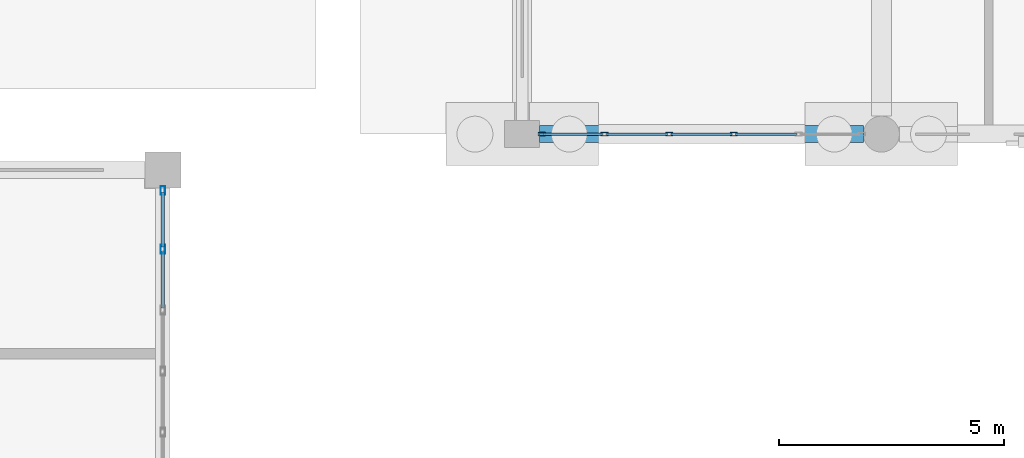
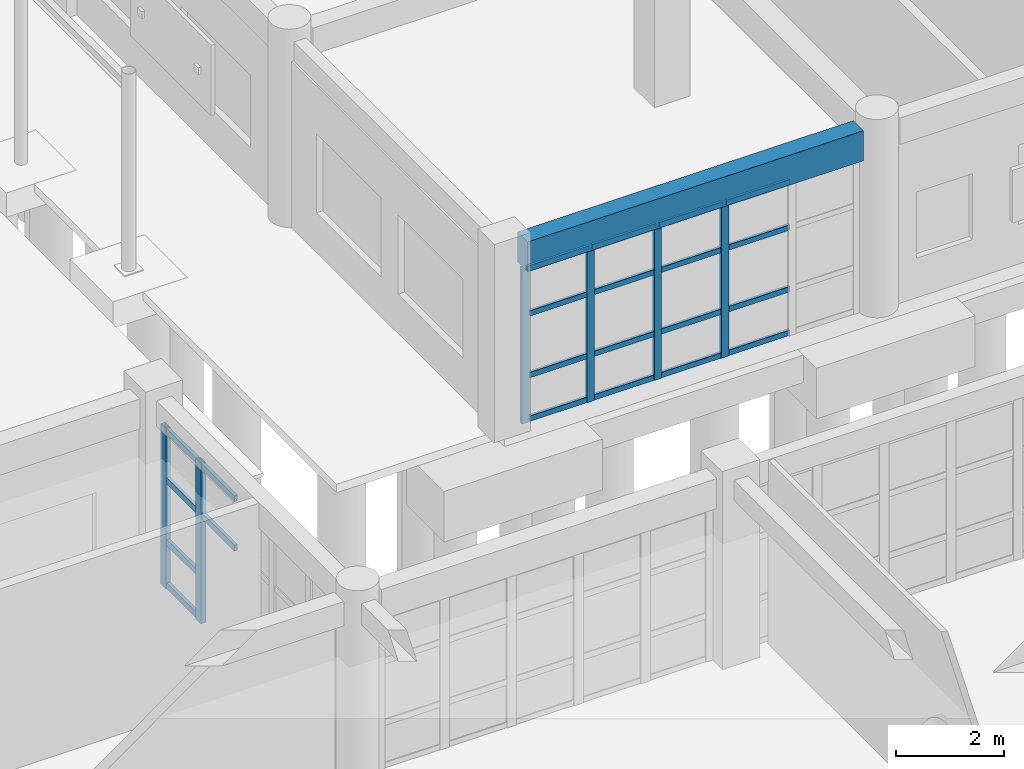
# One storey, part 86 of 166: 28 members, 1 beam, 2 elements without a shape of their own.
"""IFC4 building model written with IfcOpenShell, lengths in metres."""

from ifc_helpers import new_model, si_unit, direction, frame, origin, origin_2d, place, context, subcontext, project, spatial, rectangle, hollow_rectangle, extrude, material, material_profile, profile_set, type_object, element, aggregate, save


model = new_model("IFC4")

# Units and contexts
model_context = context("Model", 3, precision=1e-05, world=origin(), true_north=direction((0.0, 1.0)))
body_context = subcontext(model_context, "Body", "Model", "MODEL_VIEW")
ifc_project = project(units=[si_unit("LENGTHUNIT", "METRE"), si_unit("AREAUNIT", "SQUARE_METRE"), si_unit("VOLUMEUNIT", "CUBIC_METRE"), si_unit("PLANEANGLEUNIT", "RADIAN"), si_unit("MASSUNIT", "GRAM", prefix="KILO")], contexts=[model_context])

# Site, building, storey
site_placement = place(None, origin())
site = spatial("IfcSite", under=ifc_project, at=site_placement, CompositionType="ELEMENT")
building_placement = place(site_placement, origin())
building = spatial("IfcBuilding", under=site, at=building_placement, Name="Kharva Crest Polytechnic", CompositionType="ELEMENT")
storey_placement = place(building_placement, origin())
storey = spatial("IfcBuildingStorey", under=building, at=storey_placement, Name="L00", CompositionType="ELEMENT", Elevation=0.0)

# Curtain wall, members
ifc_material_1 = material(Name="Tempered insulated glass", Category="glass")
curtain_wall_type_1 = type_object("IfcCurtainWallType", Name="CW-SYS-COURT", PredefinedType="USERDEFINED", material=ifc_material_1)
curtain_wall_1_placement = place(storey_placement, origin())
curtain_wall_1 = element("IfcCurtainWall", 1, at=curtain_wall_1_placement, inside=storey, type_object=curtain_wall_type_1, Name="L00 Glazed Curtain Wall CW-014", ObjectType="CURTAIN WALL", PredefinedType="USERDEFINED")
ifc_material_2 = material(Name="Steel S355", Category="steel")
ifc_material_profile_1 = material_profile(ifc_material_2, hollow_rectangle(XDim=0.080078125, YDim=0.159912109375, WallThickness=0.0048828125, at=origin_2d()), Name="RHS 160X80X5.0")
ifc_profile_set_1 = profile_set([ifc_material_profile_1], Name="Steel S355")
member_type_1 = type_object("IfcMemberType", Name="CWM-RHS160X80", PredefinedType="MULLION", material=ifc_profile_set_1)
member_1_placement = place(storey_placement, frame((153.235107421875, 38.800048828125, 0.0), z_axis=(0.0, 0.0, 1.0), x_axis=(0.0, 1.0, 0.0)))
member_1 = element("IfcMember", 2, at=member_1_placement, type_object=member_type_1, Name="CW-014 mullion 1", PredefinedType="MULLION", context=body_context, shape_type="SweptSolid", body=[
    extrude(hollow_rectangle(XDim=0.080078125, YDim=0.159912109375, WallThickness=0.0048828125, at=origin_2d()), origin(), (0.0, 0.0, 1.0), 3.5400390625),
])
member_2_placement = place(storey_placement, frame((154.635009765625, 38.800048828125, 0.0), z_axis=(0.0, 0.0, 1.0), x_axis=(0.0, 1.0, 0.0)))
member_2 = element("IfcMember", 3, at=member_2_placement, type_object=member_type_1, Name="CW-014 mullion 2", PredefinedType="MULLION", context=body_context, shape_type="SweptSolid", body=[
    extrude(hollow_rectangle(XDim=0.080078125, YDim=0.159912109375, WallThickness=0.0048828125, at=origin_2d()), origin(), (0.0, 0.0, 1.0), 3.5400390625),
])
member_3_placement = place(storey_placement, frame((156.074951171875, 38.800048828125, 0.0), z_axis=(0.0, 0.0, 1.0), x_axis=(0.0, 1.0, 0.0)))
member_3 = element("IfcMember", 4, at=member_3_placement, type_object=member_type_1, Name="CW-014 mullion 3", PredefinedType="MULLION", context=body_context, shape_type="SweptSolid", body=[
    extrude(hollow_rectangle(XDim=0.080078125, YDim=0.159912109375, WallThickness=0.0048828125, at=origin_2d()), origin(), (0.0, 0.0, 1.0), 3.5400390625),
])
member_4_placement = place(storey_placement, frame((157.514892578125, 38.800048828125, 0.0), z_axis=(0.0, 0.0, 1.0), x_axis=(0.0, 1.0, 0.0)))
member_4 = element("IfcMember", 5, at=member_4_placement, type_object=member_type_1, Name="CW-014 mullion 4", PredefinedType="MULLION", context=body_context, shape_type="SweptSolid", body=[
    extrude(hollow_rectangle(XDim=0.080078125, YDim=0.159912109375, WallThickness=0.0048828125, at=origin_2d()), origin(), (0.0, 0.0, 1.0), 3.5400390625),
])

curtain_wall_type_2 = type_object("IfcCurtainWallType", Name="CW-SYS-REFECTORY", PredefinedType="USERDEFINED", material=ifc_material_1)
curtain_wall_2_placement = place(storey_placement, origin())
curtain_wall_2 = element("IfcCurtainWall", 6, at=curtain_wall_2_placement, inside=storey, type_object=curtain_wall_type_2, Name="L00 Glazed Curtain Wall CW-005", ObjectType="CURTAIN WALL", PredefinedType="USERDEFINED")
ifc_material_profile_2 = material_profile(ifc_material_2, hollow_rectangle(XDim=0.10009765625, YDim=0.199951171875, WallThickness=0.00634765625, at=origin_2d()), Name="RHS 200X100X6.3")
ifc_profile_set_2 = profile_set([ifc_material_profile_2], Name="Steel S355")
member_type_2 = type_object("IfcMemberType", Name="CWM-RHS200X100", PredefinedType="MULLION", material=ifc_profile_set_2)
member_5_placement = place(storey_placement, frame((144.800048828125, 36.237060546875, 0.0), z_axis=(0.0, 0.0, 1.0), x_axis=(-1.0, 0.0, 0.0)))
member_5 = element("IfcMember", 7, at=member_5_placement, type_object=member_type_2, Name="CW-005 mullion 5", PredefinedType="MULLION", context=body_context, shape_type="SweptSolid", body=[
    extrude(hollow_rectangle(XDim=0.10009765625, YDim=0.199951171875, WallThickness=0.00634765625, at=origin_2d()), origin(), (0.0, 0.0, 1.0), 3.639892578125),
])
member_6_placement = place(storey_placement, frame((144.800048828125, 37.544921875, 0.0), z_axis=(0.0, 0.0, 1.0), x_axis=(-1.0, 0.0, 0.0)))
member_6 = element("IfcMember", 8, at=member_6_placement, type_object=member_type_2, Name="CW-005 mullion 6", PredefinedType="MULLION", context=body_context, shape_type="SweptSolid", body=[
    extrude(hollow_rectangle(XDim=0.10009765625, YDim=0.199951171875, WallThickness=0.00634765625, at=origin_2d()), origin(), (0.0, 0.0, 1.0), 3.639892578125),
])

# Member
ifc_material_profile_3 = material_profile(ifc_material_2, hollow_rectangle(XDim=0.06005859375, YDim=0.1201171875, WallThickness=0.00390625, at=origin_2d()), Name="RHS 120X60X4.0")
ifc_profile_set_3 = profile_set([ifc_material_profile_3], Name="Steel S355")
member_type_3 = type_object("IfcMemberType", Name="CWT-RHS120X60", PredefinedType="USERDEFINED", material=ifc_profile_set_3)
member_7_placement = place(storey_placement, frame((153.27490234375, 38.800048828125, 0.06005859375), z_axis=(1.0, 0.0, 0.0), x_axis=(0.0, 1.0, 0.0)))
member_7 = element("IfcMember", 9, at=member_7_placement, type_object=member_type_3, Name="CW-014 transom 1.1", ObjectType="TRANSOM", PredefinedType="USERDEFINED", context=body_context, shape_type="SweptSolid", body=[
    extrude(hollow_rectangle(XDim=0.06005859375, YDim=0.1201171875, WallThickness=0.00390625, at=origin_2d()), origin(), (0.0, 0.0, 1.0), 1.320068359375),
])

member_8_placement = place(storey_placement, frame((153.27490234375, 38.800048828125, 1.050048828125), z_axis=(1.0, 0.0, 0.0), x_axis=(0.0, 1.0, 0.0)))
member_8 = element("IfcMember", 10, at=member_8_placement, type_object=member_type_3, Name="CW-014 transom 1.2", ObjectType="TRANSOM", PredefinedType="USERDEFINED", context=body_context, shape_type="SweptSolid", body=[
    extrude(hollow_rectangle(XDim=0.06005859375, YDim=0.1201171875, WallThickness=0.00390625, at=origin_2d()), origin(), (0.0, 0.0, 1.0), 1.320068359375),
])

member_9_placement = place(storey_placement, frame((153.27490234375, 38.800048828125, 2.449951171875), z_axis=(1.0, 0.0, 0.0), x_axis=(0.0, 1.0, 0.0)))
member_9 = element("IfcMember", 11, at=member_9_placement, type_object=member_type_3, Name="CW-014 transom 1.3", ObjectType="TRANSOM", PredefinedType="USERDEFINED", context=body_context, shape_type="SweptSolid", body=[
    extrude(hollow_rectangle(XDim=0.06005859375, YDim=0.1201171875, WallThickness=0.00390625, at=origin_2d()), origin(), (0.0, 0.0, 1.0), 1.320068359375),
])

member_10_placement = place(storey_placement, frame((153.27490234375, 38.800048828125, 3.47998046875), z_axis=(1.0, 0.0, 0.0), x_axis=(0.0, 1.0, 0.0)))
member_10 = element("IfcMember", 12, at=member_10_placement, type_object=member_type_3, Name="CW-014 transom 1.4", ObjectType="TRANSOM", PredefinedType="USERDEFINED", context=body_context, shape_type="SweptSolid", body=[
    extrude(hollow_rectangle(XDim=0.06005859375, YDim=0.1201171875, WallThickness=0.00390625, at=origin_2d()), origin(), (0.0, 0.0, 1.0), 1.320068359375),
])

member_11_placement = place(storey_placement, frame((154.675048828125, 38.800048828125, 0.06005859375), z_axis=(1.0, 0.0, 0.0), x_axis=(0.0, 1.0, 0.0)))
member_11 = element("IfcMember", 13, at=member_11_placement, type_object=member_type_3, Name="CW-014 transom 2.1", ObjectType="TRANSOM", PredefinedType="USERDEFINED", context=body_context, shape_type="SweptSolid", body=[
    extrude(hollow_rectangle(XDim=0.06005859375, YDim=0.1201171875, WallThickness=0.00390625, at=origin_2d()), origin(), (0.0, 0.0, 1.0), 1.35986328125),
])

member_12_placement = place(storey_placement, frame((154.675048828125, 38.800048828125, 1.050048828125), z_axis=(1.0, 0.0, 0.0), x_axis=(0.0, 1.0, 0.0)))
member_12 = element("IfcMember", 14, at=member_12_placement, type_object=member_type_3, Name="CW-014 transom 2.2", ObjectType="TRANSOM", PredefinedType="USERDEFINED", context=body_context, shape_type="SweptSolid", body=[
    extrude(hollow_rectangle(XDim=0.06005859375, YDim=0.1201171875, WallThickness=0.00390625, at=origin_2d()), origin(), (0.0, 0.0, 1.0), 1.35986328125),
])

member_13_placement = place(storey_placement, frame((154.675048828125, 38.800048828125, 2.449951171875), z_axis=(1.0, 0.0, 0.0), x_axis=(0.0, 1.0, 0.0)))
member_13 = element("IfcMember", 15, at=member_13_placement, type_object=member_type_3, Name="CW-014 transom 2.3", ObjectType="TRANSOM", PredefinedType="USERDEFINED", context=body_context, shape_type="SweptSolid", body=[
    extrude(hollow_rectangle(XDim=0.06005859375, YDim=0.1201171875, WallThickness=0.00390625, at=origin_2d()), origin(), (0.0, 0.0, 1.0), 1.35986328125),
])

member_14_placement = place(storey_placement, frame((154.675048828125, 38.800048828125, 3.47998046875), z_axis=(1.0, 0.0, 0.0), x_axis=(0.0, 1.0, 0.0)))
member_14 = element("IfcMember", 16, at=member_14_placement, type_object=member_type_3, Name="CW-014 transom 2.4", ObjectType="TRANSOM", PredefinedType="USERDEFINED", context=body_context, shape_type="SweptSolid", body=[
    extrude(hollow_rectangle(XDim=0.06005859375, YDim=0.1201171875, WallThickness=0.00390625, at=origin_2d()), origin(), (0.0, 0.0, 1.0), 1.35986328125),
])

member_15_placement = place(storey_placement, frame((156.114990234375, 38.800048828125, 0.06005859375), z_axis=(1.0, 0.0, 0.0), x_axis=(0.0, 1.0, 0.0)))
member_15 = element("IfcMember", 17, at=member_15_placement, type_object=member_type_3, Name="CW-014 transom 3.1", ObjectType="TRANSOM", PredefinedType="USERDEFINED", context=body_context, shape_type="SweptSolid", body=[
    extrude(hollow_rectangle(XDim=0.06005859375, YDim=0.1201171875, WallThickness=0.00390625, at=origin_2d()), origin(), (0.0, 0.0, 1.0), 1.360107421875),
])

member_16_placement = place(storey_placement, frame((156.114990234375, 38.800048828125, 1.050048828125), z_axis=(1.0, 0.0, 0.0), x_axis=(0.0, 1.0, 0.0)))
member_16 = element("IfcMember", 18, at=member_16_placement, type_object=member_type_3, Name="CW-014 transom 3.2", ObjectType="TRANSOM", PredefinedType="USERDEFINED", context=body_context, shape_type="SweptSolid", body=[
    extrude(hollow_rectangle(XDim=0.06005859375, YDim=0.1201171875, WallThickness=0.00390625, at=origin_2d()), origin(), (0.0, 0.0, 1.0), 1.360107421875),
])

member_17_placement = place(storey_placement, frame((156.114990234375, 38.800048828125, 2.449951171875), z_axis=(1.0, 0.0, 0.0), x_axis=(0.0, 1.0, 0.0)))
member_17 = element("IfcMember", 19, at=member_17_placement, type_object=member_type_3, Name="CW-014 transom 3.3", ObjectType="TRANSOM", PredefinedType="USERDEFINED", context=body_context, shape_type="SweptSolid", body=[
    extrude(hollow_rectangle(XDim=0.06005859375, YDim=0.1201171875, WallThickness=0.00390625, at=origin_2d()), origin(), (0.0, 0.0, 1.0), 1.360107421875),
])

member_18_placement = place(storey_placement, frame((156.114990234375, 38.800048828125, 3.47998046875), z_axis=(1.0, 0.0, 0.0), x_axis=(0.0, 1.0, 0.0)))
member_18 = element("IfcMember", 20, at=member_18_placement, type_object=member_type_3, Name="CW-014 transom 3.4", ObjectType="TRANSOM", PredefinedType="USERDEFINED", context=body_context, shape_type="SweptSolid", body=[
    extrude(hollow_rectangle(XDim=0.06005859375, YDim=0.1201171875, WallThickness=0.00390625, at=origin_2d()), origin(), (0.0, 0.0, 1.0), 1.360107421875),
])

member_19_placement = place(storey_placement, frame((157.554931640625, 38.800048828125, 0.06005859375), z_axis=(1.0, 0.0, 0.0), x_axis=(0.0, 1.0, 0.0)))
member_19 = element("IfcMember", 21, at=member_19_placement, type_object=member_type_3, Name="CW-014 transom 4.1", ObjectType="TRANSOM", PredefinedType="USERDEFINED", context=body_context, shape_type="SweptSolid", body=[
    extrude(hollow_rectangle(XDim=0.06005859375, YDim=0.1201171875, WallThickness=0.00390625, at=origin_2d()), origin(), (0.0, 0.0, 1.0), 1.360107421875),
])

member_20_placement = place(storey_placement, frame((157.554931640625, 38.800048828125, 1.050048828125), z_axis=(1.0, 0.0, 0.0), x_axis=(0.0, 1.0, 0.0)))
member_20 = element("IfcMember", 22, at=member_20_placement, type_object=member_type_3, Name="CW-014 transom 4.2", ObjectType="TRANSOM", PredefinedType="USERDEFINED", context=body_context, shape_type="SweptSolid", body=[
    extrude(hollow_rectangle(XDim=0.06005859375, YDim=0.1201171875, WallThickness=0.00390625, at=origin_2d()), origin(), (0.0, 0.0, 1.0), 1.360107421875),
])

member_21_placement = place(storey_placement, frame((157.554931640625, 38.800048828125, 2.449951171875), z_axis=(1.0, 0.0, 0.0), x_axis=(0.0, 1.0, 0.0)))
member_21 = element("IfcMember", 23, at=member_21_placement, type_object=member_type_3, Name="CW-014 transom 4.3", ObjectType="TRANSOM", PredefinedType="USERDEFINED", context=body_context, shape_type="SweptSolid", body=[
    extrude(hollow_rectangle(XDim=0.06005859375, YDim=0.1201171875, WallThickness=0.00390625, at=origin_2d()), origin(), (0.0, 0.0, 1.0), 1.360107421875),
])

member_22_placement = place(storey_placement, frame((157.554931640625, 38.800048828125, 3.47998046875), z_axis=(1.0, 0.0, 0.0), x_axis=(0.0, 1.0, 0.0)))
member_22 = element("IfcMember", 24, at=member_22_placement, type_object=member_type_3, Name="CW-014 transom 4.4", ObjectType="TRANSOM", PredefinedType="USERDEFINED", context=body_context, shape_type="SweptSolid", body=[
    extrude(hollow_rectangle(XDim=0.06005859375, YDim=0.1201171875, WallThickness=0.00390625, at=origin_2d()), origin(), (0.0, 0.0, 1.0), 1.360107421875),
])

aggregate(curtain_wall_1, [member_1, member_2, member_3, member_4, member_7, member_8, member_9, member_10, member_11, member_12, member_13, member_14, member_15, member_16, member_17, member_18, member_19, member_20, member_21, member_22])

ifc_material_profile_4 = material_profile(ifc_material_2, hollow_rectangle(XDim=0.070068359375, YDim=0.139892578125, WallThickness=0.00390625, at=origin_2d()), Name="RHS 140X70X4.0")
ifc_profile_set_4 = profile_set([ifc_material_profile_4], Name="Steel S355")
member_type_4 = type_object("IfcMemberType", Name="CWT-RHS140X70", PredefinedType="USERDEFINED", material=ifc_profile_set_4)
member_23_placement = place(storey_placement, frame((144.800048828125, 34.928955078125, 2.449951171875), z_axis=(0.0, 1.0, 0.0), x_axis=(-1.0, 0.0, 0.0)))
member_23 = element("IfcMember", 25, at=member_23_placement, type_object=member_type_4, Name="CW-005 transom 4.3", ObjectType="TRANSOM", PredefinedType="USERDEFINED", context=body_context, shape_type="SweptSolid", body=[
    extrude(hollow_rectangle(XDim=0.070068359375, YDim=0.139892578125, WallThickness=0.00390625, at=origin_2d()), origin(), (0.0, 0.0, 1.0), 1.258056640625),
])

member_24_placement = place(storey_placement, frame((144.800048828125, 34.928955078125, 3.570068359375), z_axis=(0.0, 1.0, 0.0), x_axis=(-1.0, 0.0, 0.0)))
member_24 = element("IfcMember", 26, at=member_24_placement, type_object=member_type_4, Name="CW-005 transom 4.4", ObjectType="TRANSOM", PredefinedType="USERDEFINED", context=body_context, shape_type="SweptSolid", body=[
    extrude(hollow_rectangle(XDim=0.070068359375, YDim=0.139892578125, WallThickness=0.00390625, at=origin_2d()), origin(), (0.0, 0.0, 1.0), 1.258056640625),
])

member_25_placement = place(storey_placement, frame((144.800048828125, 36.287109375, 0.070068359375), z_axis=(0.0, 1.0, 0.0), x_axis=(-1.0, 0.0, 0.0)))
member_25 = element("IfcMember", 27, at=member_25_placement, type_object=member_type_4, Name="CW-005 transom 5.1", ObjectType="TRANSOM", PredefinedType="USERDEFINED", context=body_context, shape_type="SweptSolid", body=[
    extrude(hollow_rectangle(XDim=0.070068359375, YDim=0.139892578125, WallThickness=0.00390625, at=origin_2d()), origin(), (0.0, 0.0, 1.0), 1.2080078125),
])

member_26_placement = place(storey_placement, frame((144.800048828125, 36.287109375, 1.050048828125), z_axis=(0.0, 1.0, 0.0), x_axis=(-1.0, 0.0, 0.0)))
member_26 = element("IfcMember", 28, at=member_26_placement, type_object=member_type_4, Name="CW-005 transom 5.2", ObjectType="TRANSOM", PredefinedType="USERDEFINED", context=body_context, shape_type="SweptSolid", body=[
    extrude(hollow_rectangle(XDim=0.070068359375, YDim=0.139892578125, WallThickness=0.00390625, at=origin_2d()), origin(), (0.0, 0.0, 1.0), 1.2080078125),
])

member_27_placement = place(storey_placement, frame((144.800048828125, 36.287109375, 2.449951171875), z_axis=(0.0, 1.0, 0.0), x_axis=(-1.0, 0.0, 0.0)))
member_27 = element("IfcMember", 29, at=member_27_placement, type_object=member_type_4, Name="CW-005 transom 5.3", ObjectType="TRANSOM", PredefinedType="USERDEFINED", context=body_context, shape_type="SweptSolid", body=[
    extrude(hollow_rectangle(XDim=0.070068359375, YDim=0.139892578125, WallThickness=0.00390625, at=origin_2d()), origin(), (0.0, 0.0, 1.0), 1.2080078125),
])

member_28_placement = place(storey_placement, frame((144.800048828125, 36.287109375, 3.570068359375), z_axis=(0.0, 1.0, 0.0), x_axis=(-1.0, 0.0, 0.0)))
member_28 = element("IfcMember", 30, at=member_28_placement, type_object=member_type_4, Name="CW-005 transom 5.4", ObjectType="TRANSOM", PredefinedType="USERDEFINED", context=body_context, shape_type="SweptSolid", body=[
    extrude(hollow_rectangle(XDim=0.070068359375, YDim=0.139892578125, WallThickness=0.00390625, at=origin_2d()), origin(), (0.0, 0.0, 1.0), 1.2080078125),
])

aggregate(curtain_wall_2, [member_5, member_6, member_23, member_24, member_25, member_26, member_27, member_28])

# Beam
ifc_material_3 = material(Name="Concrete C35/45", Category="concrete")
ifc_material_profile_5 = material_profile(ifc_material_3, rectangle(XDim=0.3798828125, YDim=0.679931640625, at=origin_2d()), Name="RECT 380 X 680")
ifc_profile_set_5 = profile_set([ifc_material_profile_5], Name="Concrete C35/45")
beam_type = type_object("IfcBeamType", Name="SP-RC-380X680", PredefinedType="SPANDREL", material=ifc_profile_set_5)
beam_placement = place(storey_placement, frame((153.18994140625, 38.800048828125, 3.8798828125), z_axis=(1.0, 0.0, 0.0), x_axis=(0.0, 1.0, 0.0)))
element("IfcBeam", 31, at=beam_placement, inside=storey, type_object=beam_type, Name="L00 Beam FJ/20-21", PredefinedType="SPANDREL", context=body_context, shape_type="SweptSolid", body=[
    extrude(rectangle(XDim=0.3798828125, YDim=0.679931640625, at=origin_2d()), origin(), (0.0, 0.0, 1.0), 7.2099609375),
])

save(model, "model.ifc")
